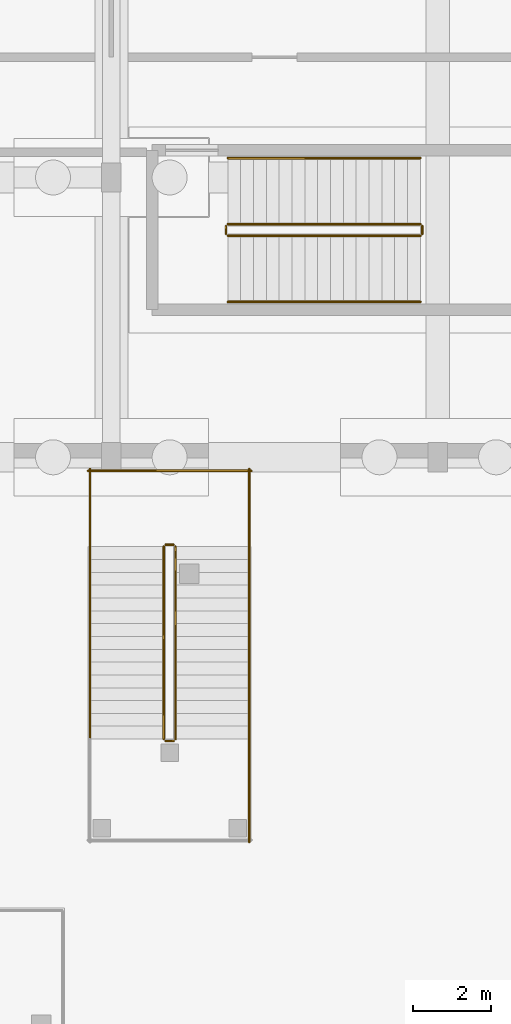
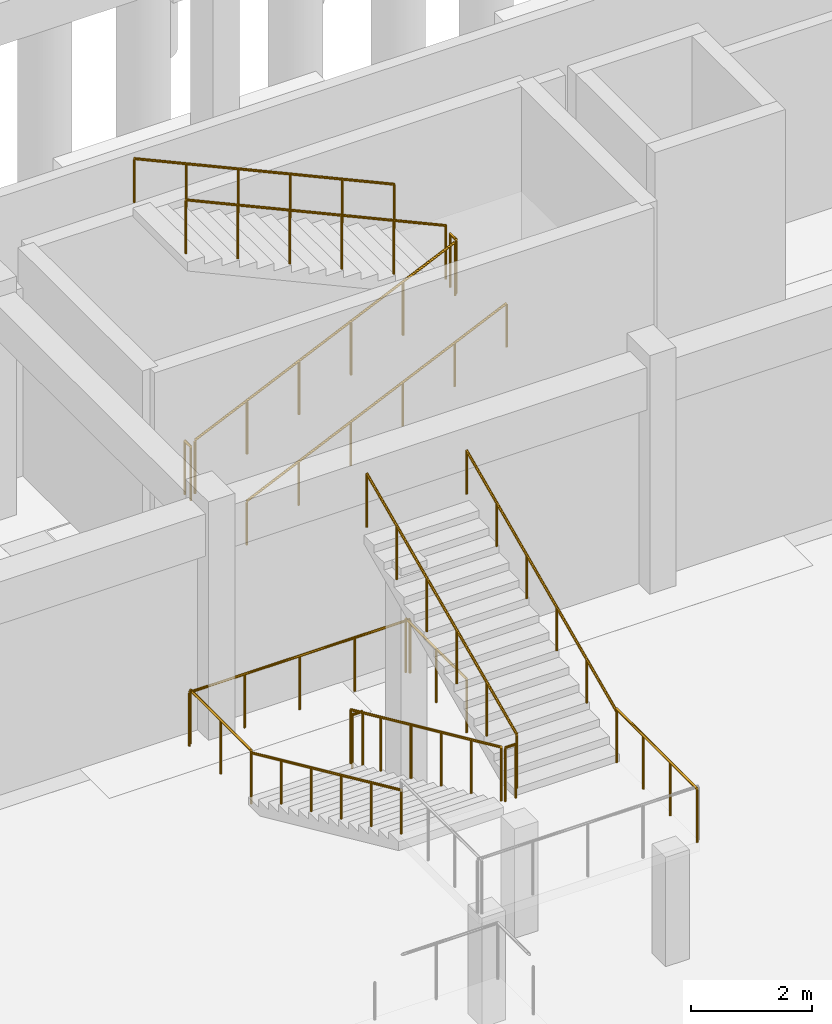
# One storey, part 72 of 80: 16 railings.
"""IFC4 building model written with IfcOpenShell, lengths in metres."""

from ifc_helpers import new_model, si_unit, direction, frame, origin, origin_2d, place, context, subcontext, project, spatial, circle, extrude, material, layer, layer_set, type_object, element, save


model = new_model("IFC4")

# Units and contexts
model_context = context("Model", 3, precision=1e-05, world=origin(), true_north=direction((0.0, 1.0)))
body_context = subcontext(model_context, "Body", "Model", "MODEL_VIEW")
ifc_project = project(units=[si_unit("LENGTHUNIT", "METRE"), si_unit("AREAUNIT", "SQUARE_METRE"), si_unit("VOLUMEUNIT", "CUBIC_METRE"), si_unit("PLANEANGLEUNIT", "RADIAN"), si_unit("MASSUNIT", "GRAM", prefix="KILO")], contexts=[model_context])

# Site, building, storey
site_placement = place(None, origin())
site = spatial("IfcSite", under=ifc_project, at=site_placement, CompositionType="ELEMENT")
building_placement = place(site_placement, origin())
building = spatial("IfcBuilding", under=site, at=building_placement, Name="Malvenik Polytechnic", CompositionType="ELEMENT")
storey_placement = place(building_placement, frame((0.0, 0.0, -4.800048828125)))
storey = spatial("IfcBuildingStorey", under=building, at=storey_placement, Name="B1", CompositionType="ELEMENT", Elevation=-4.800048828125)

# Railings
ifc_material_1 = material(Name="Painted galvanised steel stair well balustrade 1100mm", Category="steel")
ifc_layer_1 = layer(ifc_material_1, 0.050048828125)
ifc_layer_set_1 = layer_set([ifc_layer_1], Name="Painted galvanised steel stair well balustrade 1100mm")
railing_type_1 = type_object("IfcRailingType", Name="ARC-RL-STGD", PredefinedType="BALUSTRADE", material=ifc_layer_set_1)
railing_1_placement = place(storey_placement, frame((103.800048828125, 27.300048828125, 0.150146484375)))
element("IfcRailing", 1, at=railing_1_placement, inside=storey, type_object=railing_type_1, Name="B1 ST-08 stair guard 1", PredefinedType="BALUSTRADE", context=body_context, shape_type="SweptSolid", body=[
    extrude(circle(Radius=0.02392578125, at=origin_2d()), frame((0.0, 0.0, 1.076171875), z_axis=(0.910364939756, 0.0, 0.41380632724), x_axis=(0.0, 1.0, 0.0)), (0.0, 0.0, 1.0), 5.437255859375),
    extrude(circle(Radius=0.02099609375, at=origin_2d()), origin(), (0.0, 0.0, 1.0), 1.052001953125),
    extrude(circle(Radius=0.02099609375, at=origin_2d()), frame((0.989990234375, 0.0, 0.449951171875)), (0.0, 0.0, 1.0), 1.052001953125),
    extrude(circle(Radius=0.02099609375, at=origin_2d()), frame((1.97998046875, 0.0, 0.89990234375)), (0.0, 0.0, 1.0), 1.052001953125),
    extrude(circle(Radius=0.02099609375, at=origin_2d()), frame((2.969970703125, 0.0, 1.35009765625)), (0.0, 0.0, 1.0), 1.052001953125),
    extrude(circle(Radius=0.02099609375, at=origin_2d()), frame((3.9599609375, 0.0, 1.800048828125)), (0.0, 0.0, 1.0), 1.052001953125),
    extrude(circle(Radius=0.02099609375, at=origin_2d()), frame((4.949951171875, 0.0, 2.25)), (0.0, 0.0, 1.0), 1.052001953125),
])
railing_2_placement = place(storey_placement, frame((108.800048828125, 27.35009765625, 2.400146484375)))
element("IfcRailing", 2, at=railing_2_placement, inside=storey, type_object=railing_type_1, Name="B1 ST-08 stair guard 2", PredefinedType="BALUSTRADE", context=body_context, shape_type="SweptSolid", body=[
    extrude(circle(Radius=0.02392578125, at=origin_2d()), frame((0.0, 0.0, 1.076171875), z_axis=(0.0, 1.0, 0.0), x_axis=(-1.0, 0.0, 0.0)), (0.0, 0.0, 1.0), 0.199951171875),
    extrude(circle(Radius=0.02099609375, at=origin_2d()), origin(), (0.0, 0.0, 1.0), 1.052001953125),
    extrude(circle(Radius=0.02099609375, at=origin_2d()), frame((0.0, 0.199951171875, 0.0)), (0.0, 0.0, 1.0), 1.052001953125),
])
railing_3_placement = place(storey_placement, frame((108.75, 27.60009765625, 2.550048828125)))
element("IfcRailing", 3, at=railing_3_placement, inside=storey, type_object=railing_type_1, Name="B1 ST-08 stair guard 3", PredefinedType="BALUSTRADE", context=body_context, shape_type="SweptSolid", body=[
    extrude(circle(Radius=0.02392578125, at=origin_2d()), frame((0.0, 0.0, 1.076171875), z_axis=(-0.910364939756, 0.0, 0.41380632724), x_axis=(0.0, -1.0, 0.0)), (0.0, 0.0, 1.0), 5.437255859375),
    extrude(circle(Radius=0.02099609375, at=origin_2d()), origin(), (0.0, 0.0, 1.0), 1.052001953125),
    extrude(circle(Radius=0.02099609375, at=origin_2d()), frame((-0.989990234375, 0.0, 0.449951171875)), (0.0, 0.0, 1.0), 1.052001953125),
    extrude(circle(Radius=0.02099609375, at=origin_2d()), frame((-1.97998046875, 0.0, 0.89990234375)), (0.0, 0.0, 1.0), 1.052001953125),
    extrude(circle(Radius=0.02099609375, at=origin_2d()), frame((-2.969970703125, 0.0, 1.35009765625)), (0.0, 0.0, 1.0), 1.052001953125),
    extrude(circle(Radius=0.02099609375, at=origin_2d()), frame((-3.9599609375, 0.0, 1.800048828125)), (0.0, 0.0, 1.0), 1.052001953125),
    extrude(circle(Radius=0.02099609375, at=origin_2d()), frame((-4.949951171875, 0.0, 2.25)), (0.0, 0.0, 1.0), 1.052001953125),
])
railing_4_placement = place(storey_placement, frame((103.75, 27.35009765625, 0.0)))
element("IfcRailing", 4, at=railing_4_placement, inside=storey, type_object=railing_type_1, Name="B1 ST-08 stair guard 4", PredefinedType="BALUSTRADE", context=body_context, shape_type="SweptSolid", body=[
    extrude(circle(Radius=0.02392578125, at=origin_2d()), frame((0.0, 0.0, 1.076171875), z_axis=(0.0, 1.0, 0.0), x_axis=(-1.0, 0.0, 0.0)), (0.0, 0.0, 1.0), 0.199951171875),
    extrude(circle(Radius=0.02099609375, at=origin_2d()), origin(), (0.0, 0.0, 1.0), 1.052001953125),
    extrude(circle(Radius=0.02099609375, at=origin_2d()), frame((0.0, 0.199951171875, 0.0)), (0.0, 0.0, 1.0), 1.052001953125),
])
railing_5_placement = place(storey_placement, frame((102.14990234375, 19.300048828125, 0.150146484375)))
element("IfcRailing", 5, at=railing_5_placement, inside=storey, type_object=railing_type_1, Name="B1 ST-11 stair guard 1", PredefinedType="BALUSTRADE", context=body_context, shape_type="SweptSolid", body=[
    extrude(circle(Radius=0.02392578125, at=origin_2d()), frame((0.0, 0.0, 1.076171875), z_axis=(0.0, -0.910364939756, 0.41380632724), x_axis=(1.0, 0.0, 0.0)), (0.0, 0.0, 1.0), 5.437255859375),
    extrude(circle(Radius=0.02099609375, at=origin_2d()), origin(), (0.0, 0.0, 1.0), 1.052001953125),
    extrude(circle(Radius=0.02099609375, at=origin_2d()), frame((0.0, -0.989990234375, 0.449951171875)), (0.0, 0.0, 1.0), 1.052001953125),
    extrude(circle(Radius=0.02099609375, at=origin_2d()), frame((0.0, -1.97998046875, 0.89990234375)), (0.0, 0.0, 1.0), 1.052001953125),
    extrude(circle(Radius=0.02099609375, at=origin_2d()), frame((0.0, -2.969970703125, 1.35009765625)), (0.0, 0.0, 1.0), 1.052001953125),
    extrude(circle(Radius=0.02099609375, at=origin_2d()), frame((0.0, -3.9599609375, 1.800048828125)), (0.0, 0.0, 1.0), 1.052001953125),
    extrude(circle(Radius=0.02099609375, at=origin_2d()), frame((0.0, -4.949951171875, 2.25)), (0.0, 0.0, 1.0), 1.052001953125),
])
railing_6_placement = place(storey_placement, frame((102.199951171875, 14.300048828125, 2.400146484375)))
element("IfcRailing", 6, at=railing_6_placement, inside=storey, type_object=railing_type_1, Name="B1 ST-11 stair guard 2", PredefinedType="BALUSTRADE", context=body_context, shape_type="SweptSolid", body=[
    extrude(circle(Radius=0.02392578125, at=origin_2d()), frame((0.0, 0.0, 1.076171875), z_axis=(1.0, 0.0, 0.0), x_axis=(0.0, 1.0, 0.0)), (0.0, 0.0, 1.0), 0.199951171875),
    extrude(circle(Radius=0.02099609375, at=origin_2d()), origin(), (0.0, 0.0, 1.0), 1.052001953125),
    extrude(circle(Radius=0.02099609375, at=origin_2d()), frame((0.199951171875, 0.0, 0.0)), (0.0, 0.0, 1.0), 1.052001953125),
])
railing_7_placement = place(storey_placement, frame((104.35009765625, 14.35009765625, 2.400146484375)))
element("IfcRailing", 7, at=railing_7_placement, inside=storey, type_object=railing_type_1, Name="B1 ST-11 stair guard 4", PredefinedType="BALUSTRADE", context=body_context, shape_type="SweptSolid", body=[
    extrude(circle(Radius=0.02392578125, at=origin_2d()), frame((0.0, 0.0, 1.076171875), z_axis=(0.0, -1.0, 0.0), x_axis=(1.0, 0.0, 0.0)), (0.0, 0.0, 1.0), 2.650146484375),
    extrude(circle(Radius=0.02099609375, at=origin_2d()), origin(), (0.0, 0.0, 1.0), 1.052001953125),
    extrude(circle(Radius=0.02099609375, at=origin_2d()), frame((0.0, -0.88330078125, 0.0)), (0.0, 0.0, 1.0), 1.052001953125),
    extrude(circle(Radius=0.02099609375, at=origin_2d()), frame((0.0, -1.766845703125, 0.0)), (0.0, 0.0, 1.0), 1.052001953125),
    extrude(circle(Radius=0.02099609375, at=origin_2d()), frame((0.0, -2.650146484375, 0.0)), (0.0, 0.0, 1.0), 1.052001953125),
])
railing_8_placement = place(storey_placement, frame((102.449951171875, 14.35009765625, 2.550048828125)))
element("IfcRailing", 8, at=railing_8_placement, inside=storey, type_object=railing_type_1, Name="B1 ST-11 stair guard 6", PredefinedType="BALUSTRADE", context=body_context, shape_type="SweptSolid", body=[
    extrude(circle(Radius=0.02392578125, at=origin_2d()), frame((0.0, 0.0, 1.076171875), z_axis=(0.0, 0.910364939756, 0.41380632724), x_axis=(-1.0, 0.0, 0.0)), (0.0, 0.0, 1.0), 5.437255859375),
    extrude(circle(Radius=0.02099609375, at=origin_2d()), origin(), (0.0, 0.0, 1.0), 1.052001953125),
    extrude(circle(Radius=0.02099609375, at=origin_2d()), frame((0.0, 0.989990234375, 0.449951171875)), (0.0, 0.0, 1.0), 1.052001953125),
    extrude(circle(Radius=0.02099609375, at=origin_2d()), frame((0.0, 1.97998046875, 0.89990234375)), (0.0, 0.0, 1.0), 1.052001953125),
    extrude(circle(Radius=0.02099609375, at=origin_2d()), frame((0.0, 2.969970703125, 1.35009765625)), (0.0, 0.0, 1.0), 1.052001953125),
    extrude(circle(Radius=0.02099609375, at=origin_2d()), frame((0.0, 3.9599609375, 1.800048828125)), (0.0, 0.0, 1.0), 1.052001953125),
    extrude(circle(Radius=0.02099609375, at=origin_2d()), frame((0.0, 4.949951171875, 2.25)), (0.0, 0.0, 1.0), 1.052001953125),
])
railing_9_placement = place(storey_placement, frame((102.199951171875, 19.35009765625, 0.0)))
element("IfcRailing", 9, at=railing_9_placement, inside=storey, type_object=railing_type_1, Name="B1 ST-11 stair guard 7", PredefinedType="BALUSTRADE", context=body_context, shape_type="SweptSolid", body=[
    extrude(circle(Radius=0.02392578125, at=origin_2d()), frame((0.0, 0.0, 1.076171875), z_axis=(1.0, 0.0, 0.0), x_axis=(0.0, 1.0, 0.0)), (0.0, 0.0, 1.0), 0.199951171875),
    extrude(circle(Radius=0.02099609375, at=origin_2d()), origin(), (0.0, 0.0, 1.0), 1.052001953125),
    extrude(circle(Radius=0.02099609375, at=origin_2d()), frame((0.199951171875, 0.0, 0.0)), (0.0, 0.0, 1.0), 1.052001953125),
])
for number, where, name in (
    (10, (100.25, 21.300048828125, 0.0), "B1 ST-11 stair guard 8"),
    (11, (104.35009765625, 21.300048828125, 0.0), "B1 ST-11 stair guard 9"),
):
    element("IfcRailing", number, at=place(storey_placement, frame(where)), inside=storey, type_object=railing_type_1, Name=name, PredefinedType="BALUSTRADE", context=body_context, shape_type="SweptSolid", body=[
        extrude(circle(Radius=0.02392578125, at=origin_2d()), frame((0.0, 0.0, 1.076171875), z_axis=(0.0, -1.0, 0.0), x_axis=(1.0, 0.0, 0.0)), (0.0, 0.0, 1.0), 2.0),
        extrude(circle(Radius=0.02099609375, at=origin_2d()), origin(), (0.0, 0.0, 1.0), 1.052001953125),
        extrude(circle(Radius=0.02099609375, at=origin_2d()), frame((0.0, -1.0, 0.0)), (0.0, 0.0, 1.0), 1.052001953125),
        extrude(circle(Radius=0.02099609375, at=origin_2d()), frame((0.0, -2.0, 0.0)), (0.0, 0.0, 1.0), 1.052001953125),
    ])
railing_10_placement = place(storey_placement, frame((100.199951171875, 21.25, 0.0)))
element("IfcRailing", 12, at=railing_10_placement, inside=storey, type_object=railing_type_1, Name="B1 ST-11 stair guard 10", PredefinedType="BALUSTRADE", context=body_context, shape_type="SweptSolid", body=[
    extrude(circle(Radius=0.02392578125, at=origin_2d()), frame((0.0, 0.0, 1.076171875), z_axis=(1.0, 0.0, 0.0), x_axis=(0.0, 1.0, 0.0)), (0.0, 0.0, 1.0), 4.199951171875),
    extrude(circle(Radius=0.02099609375, at=origin_2d()), origin(), (0.0, 0.0, 1.0), 1.052001953125),
    extrude(circle(Radius=0.02099609375, at=origin_2d()), frame((1.050048828125, 0.0, 0.0)), (0.0, 0.0, 1.0), 1.052001953125),
    extrude(circle(Radius=0.02099609375, at=origin_2d()), frame((2.10009765625, 0.0, 0.0)), (0.0, 0.0, 1.0), 1.052001953125),
    extrude(circle(Radius=0.02099609375, at=origin_2d()), frame((3.14990234375, 0.0, 0.0)), (0.0, 0.0, 1.0), 1.052001953125),
    extrude(circle(Radius=0.02099609375, at=origin_2d()), frame((4.199951171875, 0.0, 0.0)), (0.0, 0.0, 1.0), 1.052001953125),
])
ifc_material_2 = material(Name="Brushed stainless steel 1.4301 stair wall handrail", Category="steel")
ifc_layer_2 = layer(ifc_material_2, 0.044921875)
ifc_layer_set_2 = layer_set([ifc_layer_2], Name="Brushed stainless steel 1.4301 stair wall handrail")
railing_type_2 = type_object("IfcRailingType", Name="ARC-RL-STHR", PredefinedType="HANDRAIL", material=ifc_layer_set_2)
railing_11_placement = place(storey_placement, frame((103.800048828125, 25.60009765625, 0.150146484375)))
element("IfcRailing", 13, at=railing_11_placement, inside=storey, type_object=railing_type_2, Name="B1 ST-08 stair handrail 1", PredefinedType="HANDRAIL", context=body_context, shape_type="SweptSolid", body=[
    extrude(circle(Radius=0.02392578125, at=origin_2d()), frame((0.0, 0.0, 0.8759765625), z_axis=(0.910364939756, 0.0, 0.41380632724), x_axis=(0.0, 1.0, 0.0)), (0.0, 0.0, 1.0), 5.437255859375),
    extrude(circle(Radius=0.02099609375, at=origin_2d()), origin(), (0.0, 0.0, 1.0), 0.851806640625),
    extrude(circle(Radius=0.02099609375, at=origin_2d()), frame((0.989990234375, 0.0, 0.449951171875)), (0.0, 0.0, 1.0), 0.851806640625),
    extrude(circle(Radius=0.02099609375, at=origin_2d()), frame((1.97998046875, 0.0, 0.89990234375)), (0.0, 0.0, 1.0), 0.851806640625),
    extrude(circle(Radius=0.02099609375, at=origin_2d()), frame((2.969970703125, 0.0, 1.35009765625)), (0.0, 0.0, 1.0), 0.851806640625),
    extrude(circle(Radius=0.02099609375, at=origin_2d()), frame((3.9599609375, 0.0, 1.800048828125)), (0.0, 0.0, 1.0), 0.851806640625),
    extrude(circle(Radius=0.02099609375, at=origin_2d()), frame((4.949951171875, 0.0, 2.25)), (0.0, 0.0, 1.0), 0.851806640625),
])
railing_12_placement = place(storey_placement, frame((108.75, 29.300048828125, 2.550048828125)))
element("IfcRailing", 14, at=railing_12_placement, inside=storey, type_object=railing_type_2, Name="B1 ST-08 stair handrail 2", PredefinedType="HANDRAIL", context=body_context, shape_type="SweptSolid", body=[
    extrude(circle(Radius=0.02392578125, at=origin_2d()), frame((0.0, 0.0, 0.8759765625), z_axis=(-0.910364939756, 0.0, 0.41380632724), x_axis=(0.0, -1.0, 0.0)), (0.0, 0.0, 1.0), 5.437255859375),
    extrude(circle(Radius=0.02099609375, at=origin_2d()), origin(), (0.0, 0.0, 1.0), 0.851806640625),
    extrude(circle(Radius=0.02099609375, at=origin_2d()), frame((-0.989990234375, 0.0, 0.449951171875)), (0.0, 0.0, 1.0), 0.851806640625),
    extrude(circle(Radius=0.02099609375, at=origin_2d()), frame((-1.97998046875, 0.0, 0.89990234375)), (0.0, 0.0, 1.0), 0.851806640625),
    extrude(circle(Radius=0.02099609375, at=origin_2d()), frame((-2.969970703125, 0.0, 1.35009765625)), (0.0, 0.0, 1.0), 0.851806640625),
    extrude(circle(Radius=0.02099609375, at=origin_2d()), frame((-3.9599609375, 0.0, 1.800048828125)), (0.0, 0.0, 1.0), 0.851806640625),
    extrude(circle(Radius=0.02099609375, at=origin_2d()), frame((-4.949951171875, 0.0, 2.25)), (0.0, 0.0, 1.0), 0.851806640625),
])
railing_13_placement = place(storey_placement, frame((100.25, 19.300048828125, 0.150146484375)))
element("IfcRailing", 15, at=railing_13_placement, inside=storey, type_object=railing_type_2, Name="B1 ST-11 stair handrail 1", PredefinedType="HANDRAIL", context=body_context, shape_type="SweptSolid", body=[
    extrude(circle(Radius=0.02392578125, at=origin_2d()), frame((0.0, 0.0, 0.8759765625), z_axis=(0.0, -0.910364939756, 0.41380632724), x_axis=(1.0, 0.0, 0.0)), (0.0, 0.0, 1.0), 5.437255859375),
    extrude(circle(Radius=0.02099609375, at=origin_2d()), origin(), (0.0, 0.0, 1.0), 0.851806640625),
    extrude(circle(Radius=0.02099609375, at=origin_2d()), frame((0.0, -0.989990234375, 0.449951171875)), (0.0, 0.0, 1.0), 0.851806640625),
    extrude(circle(Radius=0.02099609375, at=origin_2d()), frame((0.0, -1.97998046875, 0.89990234375)), (0.0, 0.0, 1.0), 0.851806640625),
    extrude(circle(Radius=0.02099609375, at=origin_2d()), frame((0.0, -2.969970703125, 1.35009765625)), (0.0, 0.0, 1.0), 0.851806640625),
    extrude(circle(Radius=0.02099609375, at=origin_2d()), frame((0.0, -3.9599609375, 1.800048828125)), (0.0, 0.0, 1.0), 0.851806640625),
    extrude(circle(Radius=0.02099609375, at=origin_2d()), frame((0.0, -4.949951171875, 2.25)), (0.0, 0.0, 1.0), 0.851806640625),
])
railing_14_placement = place(storey_placement, frame((104.35009765625, 14.35009765625, 2.550048828125)))
element("IfcRailing", 16, at=railing_14_placement, inside=storey, type_object=railing_type_2, Name="B1 ST-11 stair handrail 2", PredefinedType="HANDRAIL", context=body_context, shape_type="SweptSolid", body=[
    extrude(circle(Radius=0.02392578125, at=origin_2d()), frame((0.0, 0.0, 0.8759765625), z_axis=(0.0, 0.910364939756, 0.41380632724), x_axis=(-1.0, 0.0, 0.0)), (0.0, 0.0, 1.0), 5.437255859375),
    extrude(circle(Radius=0.02099609375, at=origin_2d()), origin(), (0.0, 0.0, 1.0), 0.851806640625),
    extrude(circle(Radius=0.02099609375, at=origin_2d()), frame((0.0, 0.989990234375, 0.449951171875)), (0.0, 0.0, 1.0), 0.851806640625),
    extrude(circle(Radius=0.02099609375, at=origin_2d()), frame((0.0, 1.97998046875, 0.89990234375)), (0.0, 0.0, 1.0), 0.851806640625),
    extrude(circle(Radius=0.02099609375, at=origin_2d()), frame((0.0, 2.969970703125, 1.35009765625)), (0.0, 0.0, 1.0), 0.851806640625),
    extrude(circle(Radius=0.02099609375, at=origin_2d()), frame((0.0, 3.9599609375, 1.800048828125)), (0.0, 0.0, 1.0), 0.851806640625),
    extrude(circle(Radius=0.02099609375, at=origin_2d()), frame((0.0, 4.949951171875, 2.25)), (0.0, 0.0, 1.0), 0.851806640625),
])

save(model, "model.ifc")
